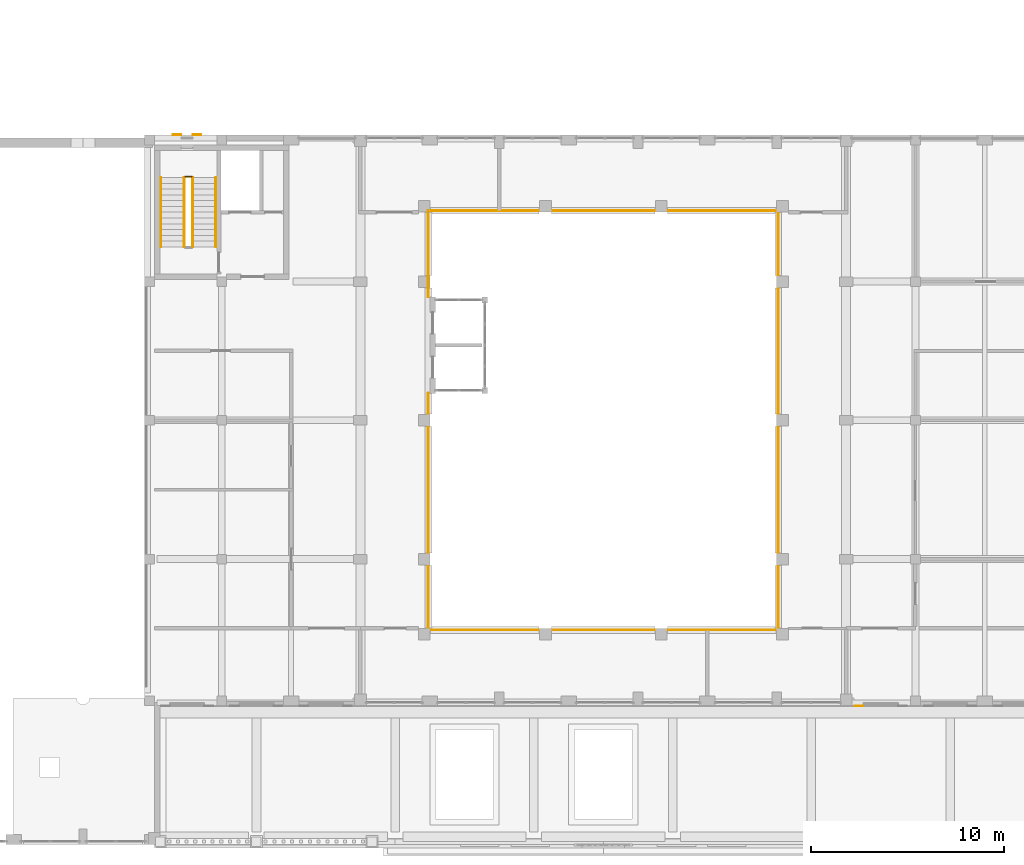
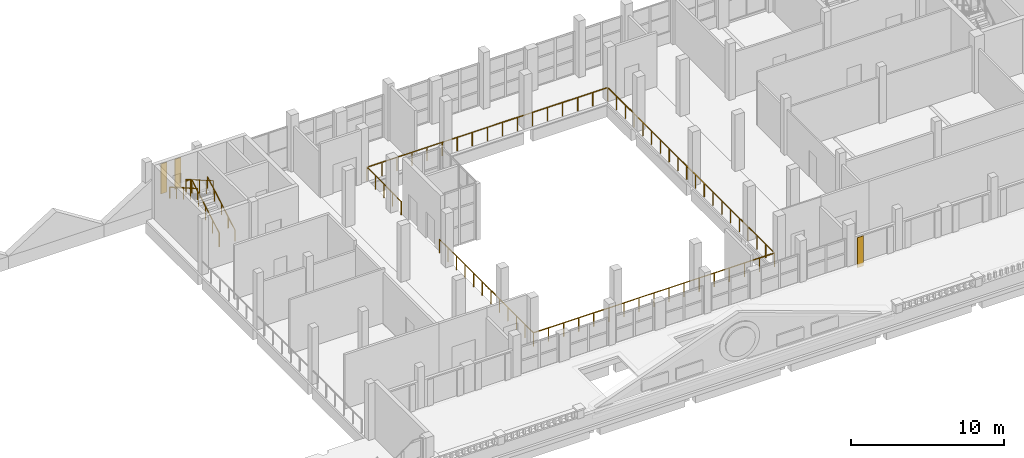
# One storey, part 36 of 58: 10 railings, 3 shading devices.
"""IFC4 building model written with IfcOpenShell, lengths in metres."""

from ifc_helpers import new_model, si_unit, direction, frame, origin, origin_2d, place, context, subcontext, project, spatial, rectangle, circle, extrude, material, layer, layer_set, type_object, element, save


model = new_model("IFC4")

# Units and contexts
model_context = context("Model", 3, precision=1e-05, world=origin(), true_north=direction((0.0, 1.0)))
body_context = subcontext(model_context, "Body", "Model", "MODEL_VIEW")
ifc_project = project(units=[si_unit("LENGTHUNIT", "METRE"), si_unit("AREAUNIT", "SQUARE_METRE"), si_unit("VOLUMEUNIT", "CUBIC_METRE"), si_unit("PLANEANGLEUNIT", "RADIAN"), si_unit("MASSUNIT", "GRAM", prefix="KILO")], contexts=[model_context])

# Site, building, storey
site_placement = place(None, origin())
site = spatial("IfcSite", under=ifc_project, at=site_placement, CompositionType="ELEMENT")
building_placement = place(site_placement, origin())
building = spatial("IfcBuilding", under=site, at=building_placement, Name="Ussher Court Research Institute", CompositionType="ELEMENT")
storey_placement = place(building_placement, frame((0.0, 0.0, 9.89990234375)))
storey = spatial("IfcBuildingStorey", under=building, at=storey_placement, Name="L02", CompositionType="ELEMENT", Elevation=9.89990234375)

# Railings
ifc_material_1 = material(Name="Painted steel balustrade", Category="steel")
railing_type_1 = type_object("IfcRailingType", Name="Gallery guard 1100 steel balustrade", PredefinedType="GUARDRAIL", material=ifc_material_1)
railing_1_placement = place(storey_placement, frame((42.52001953125, 14.719970703125, 0.0)))
element("IfcRailing", 1, at=railing_1_placement, inside=storey, type_object=railing_type_1, Name="L02 Gallery guard", PredefinedType="GUARDRAIL", context=body_context, shape_type="SweptSolid", body=[
    extrude(circle(Radius=0.02392578125, at=origin_2d()), frame((0.0, 0.0, 1.076171875), z_axis=(1.0, 0.0, 0.0), x_axis=(0.0, 1.0, 0.0)), (0.0, 0.0, 1.0), 18.159912109375),
    extrude(circle(Radius=0.02099609375, at=origin_2d()), origin(), (0.0, 0.0, 1.0), 1.052001953125),
    extrude(circle(Radius=0.02099609375, at=origin_2d()), frame((1.135009765625, 0.0, 0.0)), (0.0, 0.0, 1.0), 1.052001953125),
    extrude(circle(Radius=0.02099609375, at=origin_2d()), frame((2.27001953125, 0.0, 0.0)), (0.0, 0.0, 1.0), 1.052001953125),
    extrude(circle(Radius=0.02099609375, at=origin_2d()), frame((3.405029296875, 0.0, 0.0)), (0.0, 0.0, 1.0), 1.052001953125),
    extrude(circle(Radius=0.02099609375, at=origin_2d()), frame((4.5400390625, 0.0, 0.0)), (0.0, 0.0, 1.0), 1.052001953125),
    extrude(circle(Radius=0.02099609375, at=origin_2d()), frame((5.675048828125, 0.0, 0.0)), (0.0, 0.0, 1.0), 1.052001953125),
    extrude(circle(Radius=0.02099609375, at=origin_2d()), frame((6.81005859375, 0.0, 0.0)), (0.0, 0.0, 1.0), 1.052001953125),
    extrude(circle(Radius=0.02099609375, at=origin_2d()), frame((7.945068359375, 0.0, 0.0)), (0.0, 0.0, 1.0), 1.052001953125),
    extrude(circle(Radius=0.02099609375, at=origin_2d()), frame((9.080078125, 0.0, 0.0)), (0.0, 0.0, 1.0), 1.052001953125),
    extrude(circle(Radius=0.02099609375, at=origin_2d()), frame((10.21484375, 0.0, 0.0)), (0.0, 0.0, 1.0), 1.052001953125),
    extrude(circle(Radius=0.02099609375, at=origin_2d()), frame((11.349853515625, 0.0, 0.0)), (0.0, 0.0, 1.0), 1.052001953125),
    extrude(circle(Radius=0.02099609375, at=origin_2d()), frame((12.48486328125, 0.0, 0.0)), (0.0, 0.0, 1.0), 1.052001953125),
    extrude(circle(Radius=0.02099609375, at=origin_2d()), frame((13.619873046875, 0.0, 0.0)), (0.0, 0.0, 1.0), 1.052001953125),
    extrude(circle(Radius=0.02099609375, at=origin_2d()), frame((14.7548828125, 0.0, 0.0)), (0.0, 0.0, 1.0), 1.052001953125),
    extrude(circle(Radius=0.02099609375, at=origin_2d()), frame((15.889892578125, 0.0, 0.0)), (0.0, 0.0, 1.0), 1.052001953125),
    extrude(circle(Radius=0.02099609375, at=origin_2d()), frame((17.02490234375, 0.0, 0.0)), (0.0, 0.0, 1.0), 1.052001953125),
    extrude(circle(Radius=0.02099609375, at=origin_2d()), frame((18.159912109375, 0.0, 0.0)), (0.0, 0.0, 1.0), 1.052001953125),
])
railing_2_placement = place(storey_placement, frame((60.679931640625, 14.719970703125, 0.0)))
element("IfcRailing", 2, at=railing_2_placement, inside=storey, type_object=railing_type_1, Name="L02 Gallery guard", PredefinedType="GUARDRAIL", context=body_context, shape_type="SweptSolid", body=[
    extrude(circle(Radius=0.02392578125, at=origin_2d()), frame((0.0, 0.0, 1.076171875), z_axis=(0.0, 1.0, 0.0), x_axis=(-1.0, 0.0, 0.0)), (0.0, 0.0, 1.0), 21.760009765625),
    extrude(circle(Radius=0.02099609375, at=origin_2d()), origin(), (0.0, 0.0, 1.0), 1.052001953125),
    extrude(circle(Radius=0.02099609375, at=origin_2d()), frame((0.0, 1.145263671875, 0.0)), (0.0, 0.0, 1.0), 1.052001953125),
    extrude(circle(Radius=0.02099609375, at=origin_2d()), frame((0.0, 2.29052734375, 0.0)), (0.0, 0.0, 1.0), 1.052001953125),
    extrude(circle(Radius=0.02099609375, at=origin_2d()), frame((0.0, 3.435791015625, 0.0)), (0.0, 0.0, 1.0), 1.052001953125),
    extrude(circle(Radius=0.02099609375, at=origin_2d()), frame((0.0, 4.5810546875, 0.0)), (0.0, 0.0, 1.0), 1.052001953125),
    extrude(circle(Radius=0.02099609375, at=origin_2d()), frame((0.0, 5.726318359375, 0.0)), (0.0, 0.0, 1.0), 1.052001953125),
    extrude(circle(Radius=0.02099609375, at=origin_2d()), frame((0.0, 6.87158203125, 0.0)), (0.0, 0.0, 1.0), 1.052001953125),
    extrude(circle(Radius=0.02099609375, at=origin_2d()), frame((0.0, 8.016845703125, 0.0)), (0.0, 0.0, 1.0), 1.052001953125),
    extrude(circle(Radius=0.02099609375, at=origin_2d()), frame((0.0, 9.162109375, 0.0)), (0.0, 0.0, 1.0), 1.052001953125),
    extrude(circle(Radius=0.02099609375, at=origin_2d()), frame((0.0, 10.307373046875, 0.0)), (0.0, 0.0, 1.0), 1.052001953125),
    extrude(circle(Radius=0.02099609375, at=origin_2d()), frame((0.0, 11.45263671875, 0.0)), (0.0, 0.0, 1.0), 1.052001953125),
    extrude(circle(Radius=0.02099609375, at=origin_2d()), frame((0.0, 12.597900390625, 0.0)), (0.0, 0.0, 1.0), 1.052001953125),
    extrude(circle(Radius=0.02099609375, at=origin_2d()), frame((0.0, 13.7431640625, 0.0)), (0.0, 0.0, 1.0), 1.052001953125),
    extrude(circle(Radius=0.02099609375, at=origin_2d()), frame((0.0, 14.888427734375, 0.0)), (0.0, 0.0, 1.0), 1.052001953125),
    extrude(circle(Radius=0.02099609375, at=origin_2d()), frame((0.0, 16.03369140625, 0.0)), (0.0, 0.0, 1.0), 1.052001953125),
    extrude(circle(Radius=0.02099609375, at=origin_2d()), frame((0.0, 17.178955078125, 0.0)), (0.0, 0.0, 1.0), 1.052001953125),
    extrude(circle(Radius=0.02099609375, at=origin_2d()), frame((0.0, 18.32421875, 0.0)), (0.0, 0.0, 1.0), 1.052001953125),
    extrude(circle(Radius=0.02099609375, at=origin_2d()), frame((0.0, 19.469482421875, 0.0)), (0.0, 0.0, 1.0), 1.052001953125),
    extrude(circle(Radius=0.02099609375, at=origin_2d()), frame((0.0, 20.61474609375, 0.0)), (0.0, 0.0, 1.0), 1.052001953125),
    extrude(circle(Radius=0.02099609375, at=origin_2d()), frame((0.0, 21.760009765625, 0.0)), (0.0, 0.0, 1.0), 1.052001953125),
])
railing_3_placement = place(storey_placement, frame((60.679931640625, 36.47998046875, 0.0)))
element("IfcRailing", 3, at=railing_3_placement, inside=storey, type_object=railing_type_1, Name="L02 Gallery guard", PredefinedType="GUARDRAIL", context=body_context, shape_type="SweptSolid", body=[
    extrude(circle(Radius=0.02392578125, at=origin_2d()), frame((0.0, 0.0, 1.076171875), z_axis=(-1.0, 0.0, 0.0), x_axis=(0.0, -1.0, 0.0)), (0.0, 0.0, 1.0), 18.159912109375),
    extrude(circle(Radius=0.02099609375, at=origin_2d()), origin(), (0.0, 0.0, 1.0), 1.052001953125),
    extrude(circle(Radius=0.02099609375, at=origin_2d()), frame((-1.135009765625, 0.0, 0.0)), (0.0, 0.0, 1.0), 1.052001953125),
    extrude(circle(Radius=0.02099609375, at=origin_2d()), frame((-2.27001953125, 0.0, 0.0)), (0.0, 0.0, 1.0), 1.052001953125),
    extrude(circle(Radius=0.02099609375, at=origin_2d()), frame((-3.405029296875, 0.0, 0.0)), (0.0, 0.0, 1.0), 1.052001953125),
    extrude(circle(Radius=0.02099609375, at=origin_2d()), frame((-4.5400390625, 0.0, 0.0)), (0.0, 0.0, 1.0), 1.052001953125),
    extrude(circle(Radius=0.02099609375, at=origin_2d()), frame((-5.675048828125, 0.0, 0.0)), (0.0, 0.0, 1.0), 1.052001953125),
    extrude(circle(Radius=0.02099609375, at=origin_2d()), frame((-6.81005859375, 0.0, 0.0)), (0.0, 0.0, 1.0), 1.052001953125),
    extrude(circle(Radius=0.02099609375, at=origin_2d()), frame((-7.945068359375, 0.0, 0.0)), (0.0, 0.0, 1.0), 1.052001953125),
    extrude(circle(Radius=0.02099609375, at=origin_2d()), frame((-9.080078125, 0.0, 0.0)), (0.0, 0.0, 1.0), 1.052001953125),
    extrude(circle(Radius=0.02099609375, at=origin_2d()), frame((-10.21484375, 0.0, 0.0)), (0.0, 0.0, 1.0), 1.052001953125),
    extrude(circle(Radius=0.02099609375, at=origin_2d()), frame((-11.349853515625, 0.0, 0.0)), (0.0, 0.0, 1.0), 1.052001953125),
    extrude(circle(Radius=0.02099609375, at=origin_2d()), frame((-12.48486328125, 0.0, 0.0)), (0.0, 0.0, 1.0), 1.052001953125),
    extrude(circle(Radius=0.02099609375, at=origin_2d()), frame((-13.619873046875, 0.0, 0.0)), (0.0, 0.0, 1.0), 1.052001953125),
    extrude(circle(Radius=0.02099609375, at=origin_2d()), frame((-14.7548828125, 0.0, 0.0)), (0.0, 0.0, 1.0), 1.052001953125),
    extrude(circle(Radius=0.02099609375, at=origin_2d()), frame((-15.889892578125, 0.0, 0.0)), (0.0, 0.0, 1.0), 1.052001953125),
    extrude(circle(Radius=0.02099609375, at=origin_2d()), frame((-17.02490234375, 0.0, 0.0)), (0.0, 0.0, 1.0), 1.052001953125),
    extrude(circle(Radius=0.02099609375, at=origin_2d()), frame((-18.159912109375, 0.0, 0.0)), (0.0, 0.0, 1.0), 1.052001953125),
])
railing_4_placement = place(storey_placement, frame((42.52001953125, 36.47998046875, 0.0)))
element("IfcRailing", 4, at=railing_4_placement, inside=storey, type_object=railing_type_1, Name="L02 Gallery guard", PredefinedType="GUARDRAIL", context=body_context, shape_type="SweptSolid", body=[
    extrude(circle(Radius=0.02392578125, at=origin_2d()), frame((0.0, 0.0, 1.076171875), z_axis=(0.0, -1.0, 0.0), x_axis=(1.0, 0.0, 0.0)), (0.0, 0.0, 1.0), 4.47998046875),
    extrude(circle(Radius=0.02099609375, at=origin_2d()), origin(), (0.0, 0.0, 1.0), 1.052001953125),
    extrude(circle(Radius=0.02099609375, at=origin_2d()), frame((0.0, -1.1201171875, 0.0)), (0.0, 0.0, 1.0), 1.052001953125),
    extrude(circle(Radius=0.02099609375, at=origin_2d()), frame((0.0, -2.239990234375, 0.0)), (0.0, 0.0, 1.0), 1.052001953125),
    extrude(circle(Radius=0.02099609375, at=origin_2d()), frame((0.0, -3.35986328125, 0.0)), (0.0, 0.0, 1.0), 1.052001953125),
    extrude(circle(Radius=0.02099609375, at=origin_2d()), frame((0.0, -4.47998046875, 0.0)), (0.0, 0.0, 1.0), 1.052001953125),
])
railing_5_placement = place(storey_placement, frame((42.52001953125, 27.0, 0.0)))
element("IfcRailing", 5, at=railing_5_placement, inside=storey, type_object=railing_type_1, Name="L02 Gallery guard", PredefinedType="GUARDRAIL", context=body_context, shape_type="SweptSolid", body=[
    extrude(circle(Radius=0.02392578125, at=origin_2d()), frame((0.0, 0.0, 1.076171875), z_axis=(0.0, -1.0, 0.0), x_axis=(1.0, 0.0, 0.0)), (0.0, 0.0, 1.0), 12.280029296875),
    extrude(circle(Radius=0.02099609375, at=origin_2d()), origin(), (0.0, 0.0, 1.0), 1.052001953125),
    extrude(circle(Radius=0.02099609375, at=origin_2d()), frame((0.0, -1.116455078125, 0.0)), (0.0, 0.0, 1.0), 1.052001953125),
    extrude(circle(Radius=0.02099609375, at=origin_2d()), frame((0.0, -2.232666015625, 0.0)), (0.0, 0.0, 1.0), 1.052001953125),
    extrude(circle(Radius=0.02099609375, at=origin_2d()), frame((0.0, -3.34912109375, 0.0)), (0.0, 0.0, 1.0), 1.052001953125),
    extrude(circle(Radius=0.02099609375, at=origin_2d()), frame((0.0, -4.465576171875, 0.0)), (0.0, 0.0, 1.0), 1.052001953125),
    extrude(circle(Radius=0.02099609375, at=origin_2d()), frame((0.0, -5.581787109375, 0.0)), (0.0, 0.0, 1.0), 1.052001953125),
    extrude(circle(Radius=0.02099609375, at=origin_2d()), frame((0.0, -6.6982421875, 0.0)), (0.0, 0.0, 1.0), 1.052001953125),
    extrude(circle(Radius=0.02099609375, at=origin_2d()), frame((0.0, -7.814453125, 0.0)), (0.0, 0.0, 1.0), 1.052001953125),
    extrude(circle(Radius=0.02099609375, at=origin_2d()), frame((0.0, -8.930908203125, 0.0)), (0.0, 0.0, 1.0), 1.052001953125),
    extrude(circle(Radius=0.02099609375, at=origin_2d()), frame((0.0, -10.04736328125, 0.0)), (0.0, 0.0, 1.0), 1.052001953125),
    extrude(circle(Radius=0.02099609375, at=origin_2d()), frame((0.0, -11.16357421875, 0.0)), (0.0, 0.0, 1.0), 1.052001953125),
    extrude(circle(Radius=0.02099609375, at=origin_2d()), frame((0.0, -12.280029296875, 0.0)), (0.0, 0.0, 1.0), 1.052001953125),
])

# Shading devices
ifc_material_2 = material(Name="Timber louvred shutter", Category="wood")
ifc_layer = layer(ifc_material_2, 0.0400390625)
ifc_layer_set = layer_set([ifc_layer], Name="Timber louvred shutter")
shading_device_type = type_object("IfcShadingDeviceType", Name="Louvred shutter leaf 450x2400", PredefinedType="USERDEFINED", material=ifc_layer_set)
for number, where, z_axis, x_axis, name in (
    (6, (29.47509765625, 40.419921875, 1.2001953125), (0.0, 0.0, 1.0), (1.0, 0.0, 0.0), "Shutter LV2 L02"),
    (7, (30.52490234375, 40.419921875, 1.2001953125), (0.0, 0.0, 1.0), (1.0, 0.0, 0.0), "Shutter LV2 L02"),
    (8, (64.875, 10.780029296875, 0.900146484375), (0.0, 0.0, 1.0), (-1.0, 0.0, 0.0), "Shutter LV2 L02"),
):
    element("IfcShadingDevice", number, at=place(storey_placement, frame(where, z_axis=z_axis, x_axis=x_axis)), inside=storey, type_object=shading_device_type, Name=name, ObjectType="SHUTTER", PredefinedType="USERDEFINED", context=body_context, shape_type="SweptSolid", body=[
        extrude(rectangle(XDim=0.449951171875, YDim=0.0400390625, at=origin_2d()), origin(), (0.0, 0.0, 1.0), 2.39990234375),
    ])

# Railings
ifc_material_3 = material(Name="Painted steel balustrade", Category="steel")
railing_type_2 = type_object("IfcRailingType", Name="Stair guard 1100 steel balustrade", PredefinedType="GUARDRAIL", material=ifc_material_3)
railing_6_placement = place(storey_placement, frame((30.300048828125, 34.60009765625, 0.173095703125)))
element("IfcRailing", 9, at=railing_6_placement, inside=storey, type_object=railing_type_2, Name="L02 W1 stair guard 1", PredefinedType="GUARDRAIL", context=body_context, shape_type="SweptSolid", body=[
    extrude(circle(Radius=0.02392578125, at=origin_2d()), frame((0.0, 0.0, 1.076171875), z_axis=(0.0, 0.866178740119, 0.499734319579), x_axis=(-1.0, 0.0, 0.0)), (0.0, 0.0, 1.0), 4.156005859375),
    extrude(circle(Radius=0.02099609375, at=origin_2d()), origin(), (0.0, 0.0, 1.0), 1.052001953125),
    extrude(circle(Radius=0.02099609375, at=origin_2d()), frame((0.0, 0.89990234375, 0.519287109375)), (0.0, 0.0, 1.0), 1.052001953125),
    extrude(circle(Radius=0.02099609375, at=origin_2d()), frame((0.0, 1.7998046875, 1.03857421875)), (0.0, 0.0, 1.0), 1.052001953125),
    extrude(circle(Radius=0.02099609375, at=origin_2d()), frame((0.0, 2.699951171875, 1.5576171875)), (0.0, 0.0, 1.0), 1.052001953125),
    extrude(circle(Radius=0.02099609375, at=origin_2d()), frame((0.0, 3.599853515625, 2.076904296875)), (0.0, 0.0, 1.0), 1.052001953125),
])
railing_7_placement = place(storey_placement, frame((30.25, 38.25, 2.25)))
element("IfcRailing", 10, at=railing_7_placement, inside=storey, type_object=railing_type_2, Name="L02 W1 stair guard 2", PredefinedType="GUARDRAIL", context=body_context, shape_type="SweptSolid", body=[
    extrude(circle(Radius=0.02392578125, at=origin_2d()), frame((0.0, 0.0, 1.076171875), z_axis=(-1.0, 0.0, 0.0), x_axis=(0.0, -1.0, 0.0)), (0.0, 0.0, 1.0), 0.35009765625),
    extrude(circle(Radius=0.02099609375, at=origin_2d()), origin(), (0.0, 0.0, 1.0), 1.052001953125),
    extrude(circle(Radius=0.02099609375, at=origin_2d()), frame((-0.35009765625, 0.0, 0.0)), (0.0, 0.0, 1.0), 1.052001953125),
])
railing_8_placement = place(storey_placement, frame((29.85009765625, 38.199951171875, 2.423095703125)))
element("IfcRailing", 11, at=railing_8_placement, inside=storey, type_object=railing_type_2, Name="L02 W1 stair guard 3", PredefinedType="GUARDRAIL", context=body_context, shape_type="SweptSolid", body=[
    extrude(circle(Radius=0.02392578125, at=origin_2d()), frame((0.0, 0.0, 1.076171875), z_axis=(0.0, -0.866178740119, 0.499734319579), x_axis=(1.0, 0.0, 0.0)), (0.0, 0.0, 1.0), 4.156005859375),
    extrude(circle(Radius=0.02099609375, at=origin_2d()), origin(), (0.0, 0.0, 1.0), 1.052001953125),
    extrude(circle(Radius=0.02099609375, at=origin_2d()), frame((0.0, -0.89990234375, 0.519287109375)), (0.0, 0.0, 1.0), 1.052001953125),
    extrude(circle(Radius=0.02099609375, at=origin_2d()), frame((0.0, -1.7998046875, 1.03857421875)), (0.0, 0.0, 1.0), 1.052001953125),
    extrude(circle(Radius=0.02099609375, at=origin_2d()), frame((0.0, -2.699951171875, 1.5576171875)), (0.0, 0.0, 1.0), 1.052001953125),
    extrude(circle(Radius=0.02099609375, at=origin_2d()), frame((0.0, -3.599853515625, 2.076904296875)), (0.0, 0.0, 1.0), 1.052001953125),
])
ifc_material_4 = material(Name="Painted steel handrail", Category="steel")
railing_type_3 = type_object("IfcRailingType", Name="Stair handrail 900 steel", PredefinedType="HANDRAIL", material=ifc_material_4)
railing_9_placement = place(storey_placement, frame((31.5, 34.60009765625, 0.173095703125)))
element("IfcRailing", 12, at=railing_9_placement, inside=storey, type_object=railing_type_3, Name="L02 W1 stair handrail 1", PredefinedType="HANDRAIL", context=body_context, shape_type="SweptSolid", body=[
    extrude(circle(Radius=0.02392578125, at=origin_2d()), frame((0.0, 0.0, 0.8759765625), z_axis=(0.0, 0.866178740119, 0.499734319579), x_axis=(-1.0, 0.0, 0.0)), (0.0, 0.0, 1.0), 4.156005859375),
    extrude(circle(Radius=0.02099609375, at=origin_2d()), origin(), (0.0, 0.0, 1.0), 0.851806640625),
    extrude(circle(Radius=0.02099609375, at=origin_2d()), frame((0.0, 0.89990234375, 0.519287109375)), (0.0, 0.0, 1.0), 0.851806640625),
    extrude(circle(Radius=0.02099609375, at=origin_2d()), frame((0.0, 1.7998046875, 1.03857421875)), (0.0, 0.0, 1.0), 0.851806640625),
    extrude(circle(Radius=0.02099609375, at=origin_2d()), frame((0.0, 2.699951171875, 1.5576171875)), (0.0, 0.0, 1.0), 0.851806640625),
    extrude(circle(Radius=0.02099609375, at=origin_2d()), frame((0.0, 3.599853515625, 2.076904296875)), (0.0, 0.0, 1.0), 0.851806640625),
])
railing_10_placement = place(storey_placement, frame((28.64990234375, 38.199951171875, 2.423095703125)))
element("IfcRailing", 13, at=railing_10_placement, inside=storey, type_object=railing_type_3, Name="L02 W1 stair handrail 2", PredefinedType="HANDRAIL", context=body_context, shape_type="SweptSolid", body=[
    extrude(circle(Radius=0.02392578125, at=origin_2d()), frame((0.0, 0.0, 0.8759765625), z_axis=(0.0, -0.866178740119, 0.499734319579), x_axis=(1.0, 0.0, 0.0)), (0.0, 0.0, 1.0), 4.156005859375),
    extrude(circle(Radius=0.02099609375, at=origin_2d()), origin(), (0.0, 0.0, 1.0), 0.851806640625),
    extrude(circle(Radius=0.02099609375, at=origin_2d()), frame((0.0, -0.89990234375, 0.519287109375)), (0.0, 0.0, 1.0), 0.851806640625),
    extrude(circle(Radius=0.02099609375, at=origin_2d()), frame((0.0, -1.7998046875, 1.03857421875)), (0.0, 0.0, 1.0), 0.851806640625),
    extrude(circle(Radius=0.02099609375, at=origin_2d()), frame((0.0, -2.699951171875, 1.5576171875)), (0.0, 0.0, 1.0), 0.851806640625),
    extrude(circle(Radius=0.02099609375, at=origin_2d()), frame((0.0, -3.599853515625, 2.076904296875)), (0.0, 0.0, 1.0), 0.851806640625),
])

save(model, "model.ifc")
